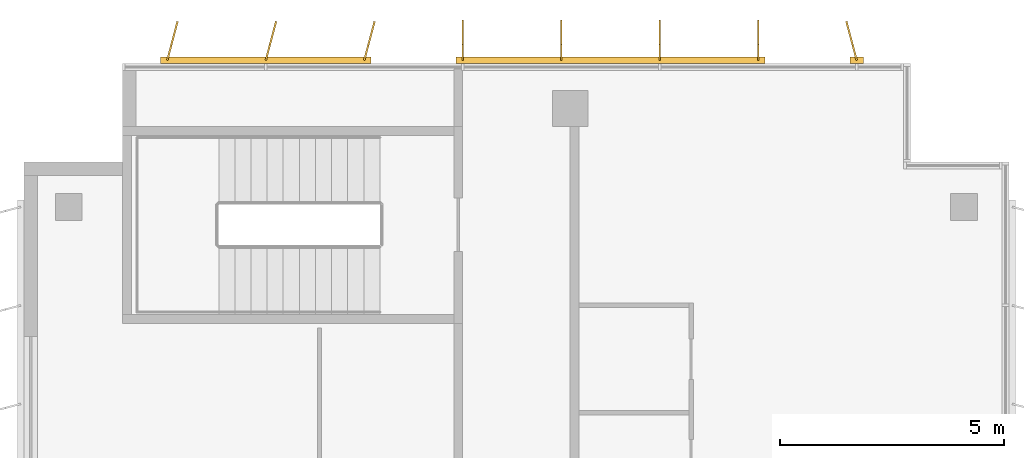
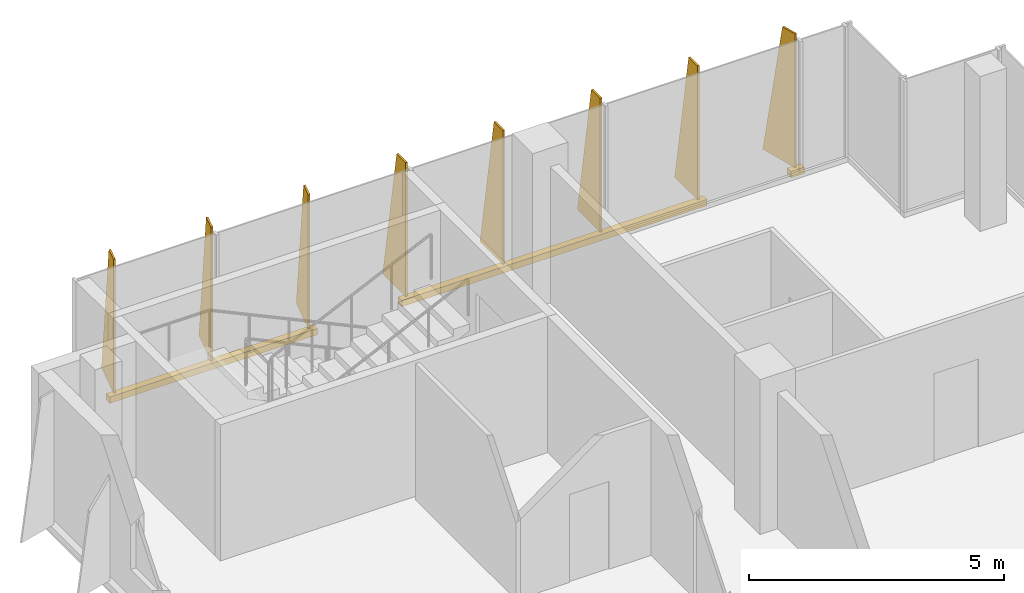
# One storey, part 15 of 15: 3 shading devices.
"""IFC4 building model written with IfcOpenShell, lengths in metres."""

from ifc_helpers import new_model, si_unit, direction, frame, origin, origin_2d, place, context, subcontext, project, spatial, polyline, rectangle, outline, extrude, source, transform, mapped, material, layer, layer_set, type_object, element, save


model = new_model("IFC4")

# Units and contexts
model_context = context("Model", 3, precision=1e-05, world=origin(), true_north=direction((0.0, 1.0)))
body_context = subcontext(model_context, "Body", "Model", "MODEL_VIEW")
ifc_project = project(units=[si_unit("LENGTHUNIT", "METRE"), si_unit("AREAUNIT", "SQUARE_METRE"), si_unit("VOLUMEUNIT", "CUBIC_METRE"), si_unit("PLANEANGLEUNIT", "RADIAN"), si_unit("MASSUNIT", "GRAM", prefix="KILO")], contexts=[model_context])

# Site, building, storey
site_placement = place(None, origin())
site = spatial("IfcSite", under=ifc_project, at=site_placement, CompositionType="ELEMENT")
building_placement = place(site_placement, origin())
building = spatial("IfcBuilding", under=site, at=building_placement, Name="Kemantara Hotel Tower", CompositionType="ELEMENT")
storey_placement = place(building_placement, frame((0.0, 0.0, 305.5)))
storey = spatial("IfcBuildingStorey", under=building, at=storey_placement, Name="L77", CompositionType="ELEMENT", Elevation=305.5)

# Shading devices
ifc_material = material(Name="Perforated aluminium plate 4 mm bronze anodised", Category="aluminium")
ifc_layer_1 = layer(ifc_material, 0.0400390625)
ifc_layer_set_1 = layer_set([ifc_layer_1], Name="Perforated aluminium plate 4 mm bronze anodised")
shading_device_type_1 = type_object("IfcShadingDeviceType", Name="SCREEN FIN CASSETTE, 3 BLADES AT -15.0 DEG, 3200 HIGH", PredefinedType="USERDEFINED", material=ifc_layer_set_1)
shared_shape_1 = source(origin(), body_context, "Body", "SweptSolid", [
    extrude(rectangle(XDim=4.699951171875, YDim=0.14990234375, at=origin_2d()), frame((2.199951171875, -0.074951171875, -0.14990234375), z_axis=(0.0, 0.0, 1.0), x_axis=(1.0, 0.0, 0.0)), (0.0, 0.0, 1.0), 0.14990234375),
    extrude(outline(polyline([(0.0, 0.0), (0.89990234375, 0.0), (0.35009765625, 3.199951171875), (0.0, 3.199951171875), (0.0, 0.0)])), frame((0.019287109375, -0.080078125, 0.0), z_axis=(-0.966437683387, 0.256901156343, 0.0), x_axis=(-0.256901156343, -0.966437683387, 0.0)), (0.0, 0.0, 1.0), 0.039794921875),
    extrude(outline(polyline([(0.0, 0.0), (0.89990234375, 0.0), (0.35009765625, 3.199951171875), (0.0, 3.199951171875), (0.0, 0.0)])), frame((2.21923828125, -0.080078125, 0.0), z_axis=(-0.966437683387, 0.256901156343, 0.0), x_axis=(-0.256901156343, -0.966437683387, 0.0)), (0.0, 0.0, 1.0), 0.039794921875),
    extrude(outline(polyline([(0.0, 0.0), (0.89990234375, 0.0), (0.35009765625, 3.199951171875), (0.0, 3.199951171875), (0.0, 0.0)])), frame((4.41943359375, -0.080078125, 0.0), z_axis=(-0.966837822169, 0.255391122837, 0.0), x_axis=(-0.255391122837, -0.966837822169, 0.0)), (0.0, 0.0, 1.0), 0.0400390625),
])
shading_device_1_placement = place(storey_placement, frame((7.60009765625, 63.60009765625, 0.10009765625), z_axis=(0.0, 0.0, 1.0), x_axis=(-1.0, 0.0, 0.0)))
element("IfcShadingDevice", 1, at=shading_device_1_placement, inside=storey, type_object=shading_device_type_1, Name="SCREEN FIN CASSETTE L77 T4-R02-3", ObjectType="SCREEN FIN", PredefinedType="USERDEFINED", context=body_context, shape_type="MappedRepresentation", body=[
    mapped(shared_shape_1, transform((0.0, 0.0, 0.0))),
])
ifc_layer_2 = layer(ifc_material, 0.0400390625)
ifc_layer_set_2 = layer_set([ifc_layer_2], Name="Perforated aluminium plate 4 mm bronze anodised")
shading_device_type_2 = type_object("IfcShadingDeviceType", Name="SCREEN FIN CASSETTE, 4 BLADES AT +0.0 DEG, 3200 HIGH", PredefinedType="USERDEFINED", material=ifc_layer_set_2)
shared_shape_2 = source(origin(), body_context, "Body", "SweptSolid", [
    extrude(rectangle(XDim=6.89990234375, YDim=0.14990234375, at=origin_2d()), frame((3.300048828125, -0.074951171875, -0.14990234375), z_axis=(0.0, 0.0, 1.0), x_axis=(1.0, 0.0, 0.0)), (0.0, 0.0, 1.0), 0.14990234375),
    extrude(outline(polyline([(0.0, 0.0), (0.89990234375, 0.0), (0.35009765625, 3.199951171875), (0.0, 3.199951171875), (0.0, 0.0)])), frame((0.02001953125, -0.074951171875, 0.0), z_axis=(-1.0, 0.0, 0.0), x_axis=(0.0, -1.0, 0.0)), (0.0, 0.0, 1.0), 0.0400390625),
    extrude(outline(polyline([(0.0, 0.0), (0.89990234375, 0.0), (0.35009765625, 3.199951171875), (0.0, 3.199951171875), (0.0, 0.0)])), frame((2.219970703125, -0.074951171875, 0.0), z_axis=(-1.0, 0.0, 0.0), x_axis=(0.0, -1.0, 0.0)), (0.0, 0.0, 1.0), 0.0400390625),
    extrude(outline(polyline([(0.0, 0.0), (0.89990234375, 0.0), (0.35009765625, 3.199951171875), (0.0, 3.199951171875), (0.0, 0.0)])), frame((4.419921875, -0.074951171875, 0.0), z_axis=(-1.0, 0.0, 0.0), x_axis=(0.0, -1.0, 0.0)), (0.0, 0.0, 1.0), 0.0400390625),
    extrude(outline(polyline([(0.0, 0.0), (0.89990234375, 0.0), (0.35009765625, 3.199951171875), (0.0, 3.199951171875), (0.0, 0.0)])), frame((6.6201171875, -0.074951171875, 0.0), z_axis=(-1.0, 0.0, 0.0), x_axis=(0.0, -1.0, 0.0)), (0.0, 0.0, 1.0), 0.0400390625),
])
shading_device_2_placement = place(storey_placement, frame((16.39990234375, 63.60009765625, 0.10009765625), z_axis=(0.0, 0.0, 1.0), x_axis=(-1.0, 0.0, 0.0)))
element("IfcShadingDevice", 2, at=shading_device_2_placement, inside=storey, type_object=shading_device_type_2, Name="SCREEN FIN CASSETTE L77 T4-R02-2", ObjectType="SCREEN FIN", PredefinedType="USERDEFINED", context=body_context, shape_type="MappedRepresentation", body=[
    mapped(shared_shape_2, transform((0.0, 0.0, 0.0))),
])
ifc_layer_3 = layer(ifc_material, 0.0400390625)
ifc_layer_set_3 = layer_set([ifc_layer_3], Name="Perforated aluminium plate 4 mm bronze anodised")
shading_device_type_3 = type_object("IfcShadingDeviceType", Name="SCREEN FIN CASSETTE, 1 BLADE AT +15.0 DEG, 3200 HIGH", PredefinedType="USERDEFINED", material=ifc_layer_set_3)
shared_shape_3 = source(origin(), body_context, "Body", "SweptSolid", [
    extrude(rectangle(XDim=0.300048828125, YDim=0.14990234375, at=origin_2d()), frame((0.0, -0.074951171875, -0.14990234375), z_axis=(0.0, 0.0, 1.0), x_axis=(1.0, 0.0, 0.0)), (0.0, 0.0, 1.0), 0.14990234375),
    extrude(outline(polyline([(0.0, 0.0), (0.89990234375, 0.0), (0.35009765625, 3.199951171875), (0.0, 3.199951171875), (0.0, 0.0)])), frame((0.019287109375, -0.06982421875, 0.0), z_axis=(-0.966437683387, -0.256901156343, 0.0), x_axis=(0.256901156343, -0.966437683387, 0.0)), (0.0, 0.0, 1.0), 0.039794921875),
])
shading_device_3_placement = place(storey_placement, frame((18.60009765625, 63.60009765625, 0.10009765625), z_axis=(0.0, 0.0, 1.0), x_axis=(-1.0, 0.0, 0.0)))
element("IfcShadingDevice", 3, at=shading_device_3_placement, inside=storey, type_object=shading_device_type_3, Name="SCREEN FIN CASSETTE L77 T4-R02-1", ObjectType="SCREEN FIN", PredefinedType="USERDEFINED", context=body_context, shape_type="MappedRepresentation", body=[
    mapped(shared_shape_3, transform((0.0, 0.0, 0.0))),
])

save(model, "model.ifc")
